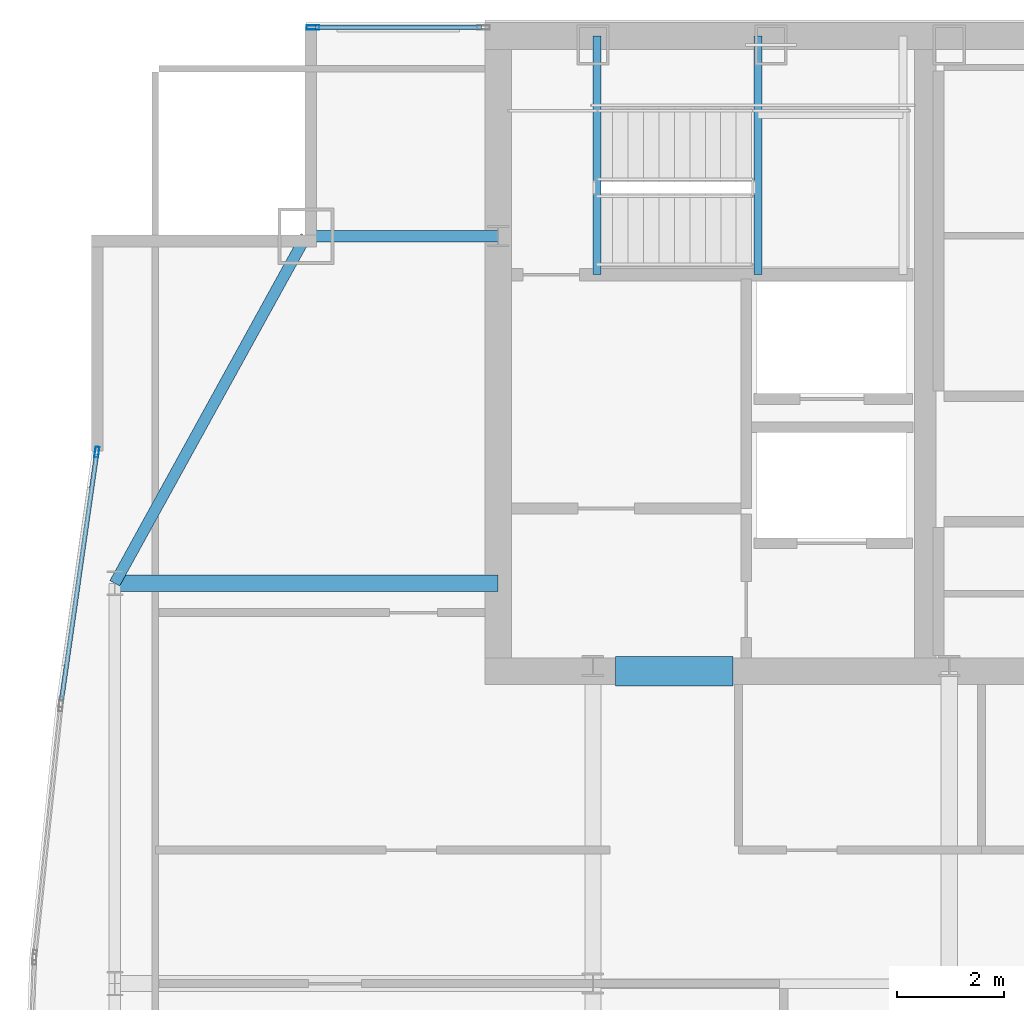
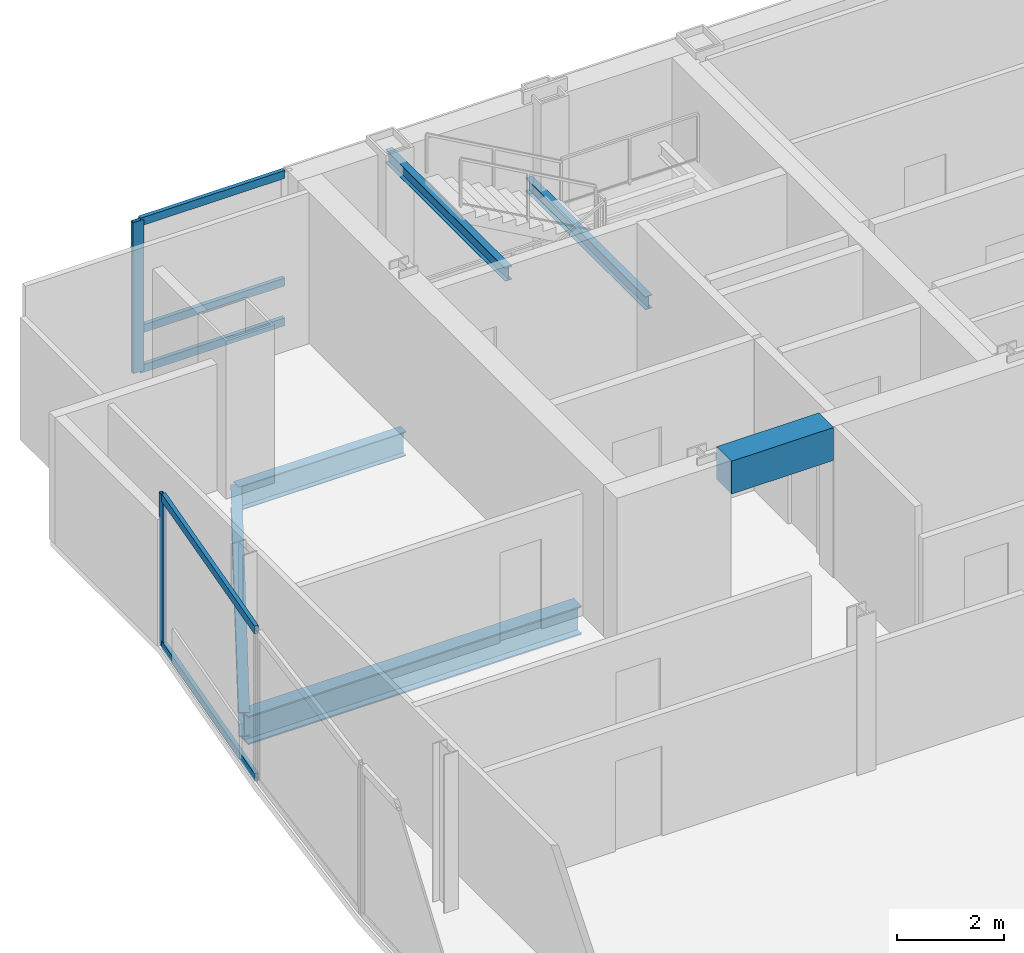
# One storey, part 20 of 30: 7 members, 6 beams, 2 elements without a shape of their own.
"""IFC4 building model written with IfcOpenShell, lengths in metres."""

from ifc_helpers import new_model, si_unit, direction, frame, origin, origin_2d, place, context, subcontext, project, spatial, rectangle, hollow_rectangle, i_section, extrude, material, material_profile, profile_set, type_object, element, aggregate, save


model = new_model("IFC4")

# Units and contexts
model_context = context("Model", 3, precision=1e-05, world=origin(), true_north=direction((0.0, 1.0)))
body_context = subcontext(model_context, "Body", "Model", "MODEL_VIEW")
ifc_project = project(units=[si_unit("LENGTHUNIT", "METRE"), si_unit("AREAUNIT", "SQUARE_METRE"), si_unit("VOLUMEUNIT", "CUBIC_METRE"), si_unit("PLANEANGLEUNIT", "RADIAN"), si_unit("MASSUNIT", "GRAM", prefix="KILO")], contexts=[model_context])

# Site, building, storey
site_placement = place(None, origin())
site = spatial("IfcSite", under=ifc_project, at=site_placement, CompositionType="ELEMENT")
building_placement = place(site_placement, origin())
building = spatial("IfcBuilding", under=site, at=building_placement, Name="Khoronbel Lancet Exchange", CompositionType="ELEMENT")
storey_placement = place(building_placement, frame((0.0, 0.0, 280.60009765625)))
storey = spatial("IfcBuildingStorey", under=building, at=storey_placement, Name="L72", CompositionType="ELEMENT", Elevation=280.60009765625)

# Beams
ifc_material_1 = material(Name="Steel S355", Category="steel")
ifc_material_profile_1 = material_profile(ifc_material_1, i_section(OverallWidth=0.300048828125, OverallDepth=0.64990234375, WebThickness=0.01611328125, FlangeThickness=0.031005859375, at=origin_2d()), Name="HEB 650")
ifc_profile_set_1 = profile_set([ifc_material_profile_1], Name="Steel S355")
beam_type_1 = type_object("IfcBeamType", Name="BM-BG4", PredefinedType="BEAM", material=ifc_profile_set_1)
beam_1_placement = place(storey_placement, frame((9.27001953125, 43.199951171875, -0.485107421875), z_axis=(1.0, 0.0, 0.0), x_axis=(0.0, 1.0, 0.0)))
element("IfcBeam", 1, at=beam_1_placement, inside=storey, type_object=beam_type_1, Name="Level L72 west lens tie girder LG3W", PredefinedType="BEAM", context=body_context, shape_type="SweptSolid", body=[
    extrude(i_section(OverallWidth=0.300048828125, OverallDepth=0.64990234375, WebThickness=0.01611328125, FlangeThickness=0.031005859375, at=origin_2d()), origin(), (0.0, 0.0, 1.0), 7.179931640625),
])
ifc_material_profile_2 = material_profile(ifc_material_1, i_section(OverallWidth=0.14990234375, OverallDepth=0.300048828125, WebThickness=0.007080078125, FlangeThickness=0.0107421875, at=origin_2d()), Name="IPE 300")
ifc_profile_set_2 = profile_set([ifc_material_profile_2], Name="Steel S355")
beam_type_2 = type_object("IfcBeamType", Name="BM-BJ8", PredefinedType="JOIST", material=ifc_profile_set_2)
for number, where, z_axis, x_axis, name in (
    (2, (21.320068359375, 48.97998046875, 1.449951171875), (0.0, 1.0, 0.0), (-1.0, 0.0, 0.0), "Level L72 stair ST1 landing bearer beam 1"),
    (3, (18.300048828125, 48.97998046875, 3.159912109375), (0.0, 1.0, 0.0), (-1.0, 0.0, 0.0), "Level L72 stair ST1 upper-flight arrival trimmer beam"),
):
    element("IfcBeam", number, at=place(storey_placement, frame(where, z_axis=z_axis, x_axis=x_axis)), inside=storey, type_object=beam_type_2, Name=name, PredefinedType="JOIST", context=body_context, shape_type="SweptSolid", body=[
        extrude(i_section(OverallWidth=0.14990234375, OverallDepth=0.300048828125, WebThickness=0.007080078125, FlangeThickness=0.0107421875, at=origin_2d()), origin(), (0.0, 0.0, 1.0), 4.469970703125),
    ])
ifc_material_2 = material(Name="Concrete C60/75", Category="concrete")
ifc_material_profile_3 = material_profile(ifc_material_2, rectangle(XDim=0.550048828125, YDim=0.75, at=origin_2d()), Name="RC 550x750")
ifc_profile_set_3 = profile_set([ifc_material_profile_3], Name="Concrete C60/75")
beam_type_3 = type_object("IfcBeamType", Name="BM-BL2", PredefinedType="LINTEL", material=ifc_profile_set_3)
beam_2_placement = place(storey_placement, frame((18.64990234375, 41.550048828125, 3.06494140625), z_axis=(1.0, 0.0, 0.0), x_axis=(0.0, 1.0, 0.0)))
element("IfcBeam", 4, at=beam_2_placement, inside=storey, type_object=beam_type_3, Name="Level L72 rear core coupling lintel L1", PredefinedType="LINTEL", context=body_context, shape_type="SweptSolid", body=[
    extrude(rectangle(XDim=0.550048828125, YDim=0.75, at=origin_2d()), origin(), (0.0, 0.0, 1.0), 2.2001953125),
])
ifc_material_profile_4 = material_profile(ifc_material_1, i_section(OverallWidth=0.2099609375, OverallDepth=0.550048828125, WebThickness=0.010986328125, FlangeThickness=0.01708984375, at=origin_2d()), Name="IPE 550")
ifc_profile_set_4 = profile_set([ifc_material_profile_4], Name="Steel S355")
beam_type_4 = type_object("IfcBeamType", Name="BM-BSP3", PredefinedType="SPANDREL", material=ifc_profile_set_4)
beam_3_placement = place(storey_placement, frame((12.85009765625, 49.699951171875, -0.43505859375), z_axis=(-0.482444051088, -0.875926787791, 0.0), x_axis=(0.875926787791, -0.482444051088, 0.0)))
element("IfcBeam", 5, at=beam_3_placement, inside=storey, type_object=beam_type_4, Name="Level L72 perimeter spandrel beam SP16", PredefinedType="SPANDREL", context=body_context, shape_type="SweptSolid", body=[
    extrude(i_section(OverallWidth=0.2099609375, OverallDepth=0.550048828125, WebThickness=0.010986328125, FlangeThickness=0.01708984375, at=origin_2d()), origin(), (0.0, 0.0, 1.0), 7.420654296875),
])
beam_4_placement = place(storey_placement, frame((12.85009765625, 49.699951171875, -0.43505859375), z_axis=(1.0, 0.0, 0.0), x_axis=(0.0, 1.0, 0.0)))
element("IfcBeam", 6, at=beam_4_placement, inside=storey, type_object=beam_type_4, Name="Level L72 north flank tie spandrel SP22", PredefinedType="SPANDREL", context=body_context, shape_type="SweptSolid", body=[
    extrude(i_section(OverallWidth=0.2099609375, OverallDepth=0.550048828125, WebThickness=0.010986328125, FlangeThickness=0.01708984375, at=origin_2d()), origin(), (0.0, 0.0, 1.0), 3.599853515625),
])

# Curtain wall, member
ifc_material_3 = material(Name="Low-E Solar Control Insulating Glass", Category="glass")
curtain_wall_type_1 = type_object("IfcCurtainWallType", Name="CW-3", PredefinedType="NOTDEFINED", material=ifc_material_3)
curtain_wall_1_placement = place(storey_placement, origin())
curtain_wall_1 = element("IfcCurtainWall", 7, at=curtain_wall_1_placement, inside=storey, type_object=curtain_wall_type_1, Name="Unitised curtain wall CW-L72-NWFLK", PredefinedType="NOTDEFINED")
ifc_material_4 = material(Name="Bronze-Anodised Aluminium 6063-T6", Category="aluminium")
ifc_material_profile_5 = material_profile(ifc_material_4, hollow_rectangle(XDim=0.0849609375, YDim=0.239990234375, WallThickness=0.006103515625, at=origin_2d()), Name="ALU MULLION 85x240")
ifc_profile_set_5 = profile_set([ifc_material_profile_5], Name="Bronze-Anodised Aluminium 6063-T6")
member_type_1 = type_object("IfcMemberType", Name="MEM-CWM1", PredefinedType="MULLION", material=ifc_profile_set_5)
member_1_placement = place(storey_placement, frame((12.982421875, 53.610107421875, 0.0), z_axis=(0.0, 0.0, 1.0), x_axis=(0.0, -1.0, 0.0)))
member_1 = element("IfcMember", 8, at=member_1_placement, type_object=member_type_1, Name="CW3 mullion 2", PredefinedType="MULLION", context=body_context, shape_type="SweptSolid", body=[
    extrude(hollow_rectangle(XDim=0.0849609375, YDim=0.239990234375, WallThickness=0.006103515625, at=origin_2d()), origin(), (0.0, 0.0, 1.0), 3.43994140625),
])

# Curtain wall, members
curtain_wall_type_2 = type_object("IfcCurtainWallType", Name="CW-4", PredefinedType="NOTDEFINED", material=ifc_material_3)
curtain_wall_2_placement = place(storey_placement, origin())
curtain_wall_2 = element("IfcCurtainWall", 9, at=curtain_wall_2_placement, inside=storey, type_object=curtain_wall_type_2, Name="Unitised curtain wall CW-L72-E09", PredefinedType="NOTDEFINED")
ifc_material_profile_6 = material_profile(ifc_material_4, hollow_rectangle(XDim=0.074951171875, YDim=0.199951171875, WallThickness=0.0048828125, at=origin_2d()), Name="ALU MULLION 75x200")
ifc_profile_set_6 = profile_set([ifc_material_profile_6], Name="Bronze-Anodised Aluminium 6063-T6")
member_type_2 = type_object("IfcMemberType", Name="MEM-CWM2", PredefinedType="MULLION", material=ifc_profile_set_6)
member_2_placement = place(storey_placement, frame((8.934814453125, 45.656494140625, 0.0), z_axis=(0.0, 0.0, 1.0), x_axis=(-0.989973632032, 0.141252284521, 0.0)))
member_2 = element("IfcMember", 10, at=member_2_placement, type_object=member_type_2, Name="CW4 mullion 2", PredefinedType="MULLION", context=body_context, shape_type="SweptSolid", body=[
    extrude(hollow_rectangle(XDim=0.074951171875, YDim=0.199951171875, WallThickness=0.0048828125, at=origin_2d()), origin(), (0.0, 0.0, 1.0), 3.43994140625),
])
ifc_material_profile_7 = material_profile(ifc_material_4, hollow_rectangle(XDim=0.0849609375, YDim=0.179931640625, WallThickness=0.0048828125, at=origin_2d()), Name="ALU TRANSOM 85x180")
ifc_profile_set_7 = profile_set([ifc_material_profile_7], Name="Bronze-Anodised Aluminium 6063-T6")
member_type_3 = type_object("IfcMemberType", Name="MEM-CWT1", PredefinedType="USERDEFINED", material=ifc_profile_set_7)
member_3_placement = place(storey_placement, frame((8.272216796875, 41.01318359375, 0.04248046875), z_axis=(0.141252397001, 0.989973615982, 0.0), x_axis=(-0.989973615982, 0.141252397001, 0.0)))
member_3 = element("IfcMember", 11, at=member_3_placement, type_object=member_type_3, Name="CW4 transom 1.1", ObjectType="TRANSOM", PredefinedType="USERDEFINED", context=body_context, shape_type="SweptSolid", body=[
    extrude(hollow_rectangle(XDim=0.0849609375, YDim=0.179931640625, WallThickness=0.0048828125, at=origin_2d()), origin(), (0.0, 0.0, 1.0), 4.65283203125),
])
member_4_placement = place(storey_placement, frame((8.272216796875, 41.01318359375, 3.3974609375), z_axis=(0.141252397001, 0.989973615982, 0.0), x_axis=(-0.989973615982, 0.141252397001, 0.0)))
member_4 = element("IfcMember", 12, at=member_4_placement, type_object=member_type_3, Name="CW4 transom 1.2", ObjectType="TRANSOM", PredefinedType="USERDEFINED", context=body_context, shape_type="SweptSolid", body=[
    extrude(hollow_rectangle(XDim=0.0849609375, YDim=0.179931640625, WallThickness=0.0048828125, at=origin_2d()), origin(), (0.0, 0.0, 1.0), 4.65283203125),
])
aggregate(curtain_wall_2, [member_2, member_3, member_4])

# Member
member_5_placement = place(storey_placement, frame((16.135009765625, 53.610107421875, 0.04248046875), z_axis=(-1.0, 0.0, 0.0), x_axis=(0.0, -1.0, 0.0)))
member_5 = element("IfcMember", 13, at=member_5_placement, type_object=member_type_3, Name="CW3 transom 1.1", ObjectType="TRANSOM", PredefinedType="USERDEFINED", context=body_context, shape_type="SweptSolid", body=[
    extrude(hollow_rectangle(XDim=0.0849609375, YDim=0.179931640625, WallThickness=0.0048828125, at=origin_2d()), origin(), (0.0, 0.0, 1.0), 3.110107421875),
])

member_6_placement = place(storey_placement, frame((16.135009765625, 53.610107421875, 0.949951171875), z_axis=(-1.0, 0.0, 0.0), x_axis=(0.0, -1.0, 0.0)))
member_6 = element("IfcMember", 14, at=member_6_placement, type_object=member_type_3, Name="CW3 transom 1.2", ObjectType="TRANSOM", PredefinedType="USERDEFINED", context=body_context, shape_type="SweptSolid", body=[
    extrude(hollow_rectangle(XDim=0.0849609375, YDim=0.179931640625, WallThickness=0.0048828125, at=origin_2d()), origin(), (0.0, 0.0, 1.0), 3.110107421875),
])

member_7_placement = place(storey_placement, frame((16.135009765625, 53.610107421875, 3.3974609375), z_axis=(-1.0, 0.0, 0.0), x_axis=(0.0, -1.0, 0.0)))
member_7 = element("IfcMember", 15, at=member_7_placement, type_object=member_type_3, Name="CW3 transom 1.3", ObjectType="TRANSOM", PredefinedType="USERDEFINED", context=body_context, shape_type="SweptSolid", body=[
    extrude(hollow_rectangle(XDim=0.0849609375, YDim=0.179931640625, WallThickness=0.0048828125, at=origin_2d()), origin(), (0.0, 0.0, 1.0), 3.110107421875),
])

aggregate(curtain_wall_1, [member_1, member_5, member_6, member_7])

save(model, "model.ifc")
